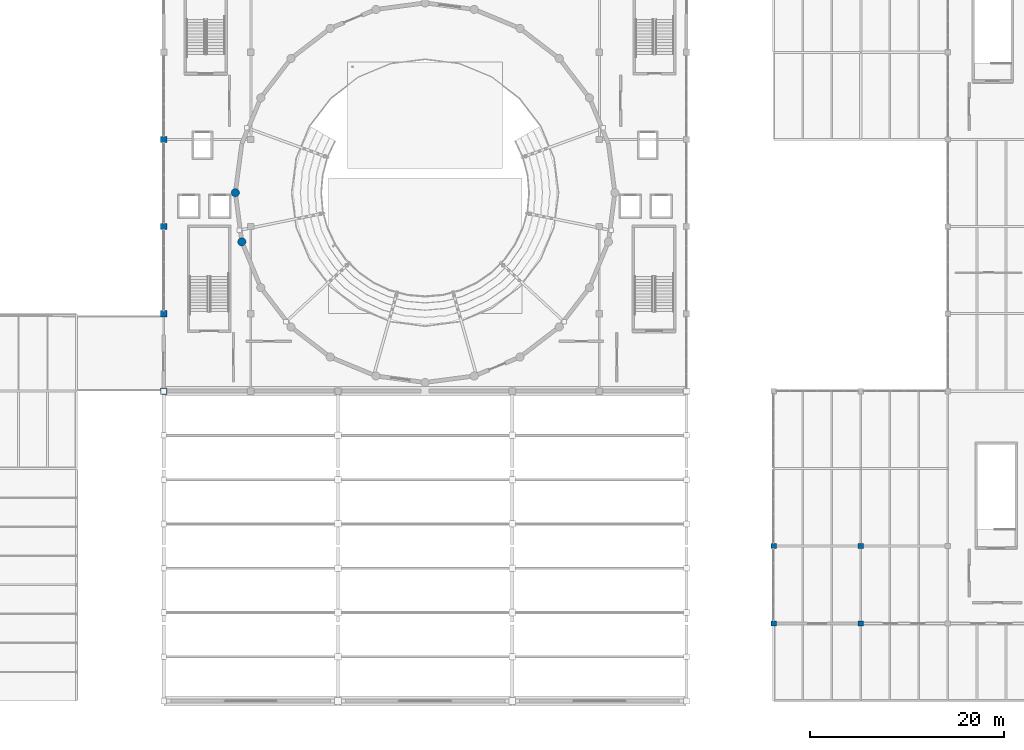
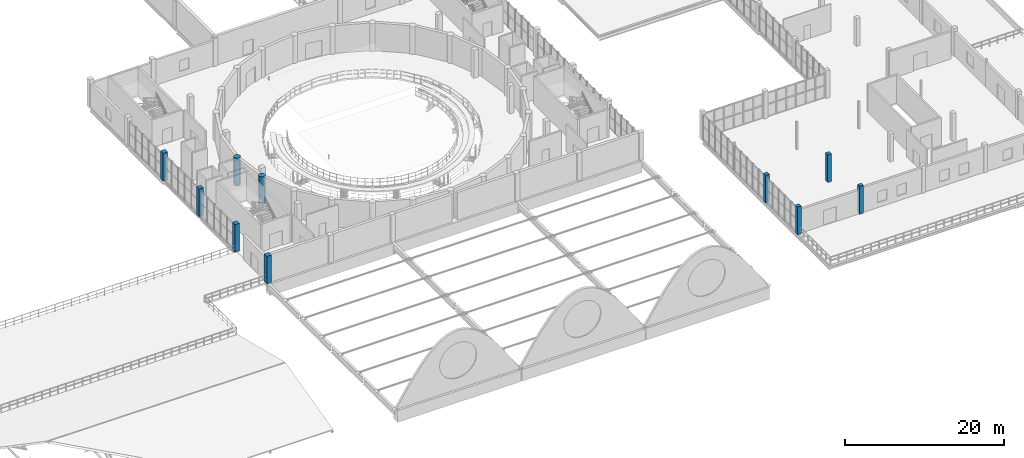
# One storey, part 1 of 54: 10 columns.
"""IFC4 building model written with IfcOpenShell, lengths in metres."""

from ifc_helpers import new_model, si_unit, direction, frame, origin, origin_2d, place, context, subcontext, project, spatial, rectangle, circle, extrude, material, material_profile, profile_set, type_object, element, save


model = new_model("IFC4")

# Units and contexts
model_context = context("Model", 3, precision=1e-05, world=origin(), true_north=direction((0.0, 1.0)))
body_context = subcontext(model_context, "Body", "Model", "MODEL_VIEW")
ifc_project = project(units=[si_unit("LENGTHUNIT", "METRE"), si_unit("AREAUNIT", "SQUARE_METRE"), si_unit("VOLUMEUNIT", "CUBIC_METRE"), si_unit("PLANEANGLEUNIT", "RADIAN"), si_unit("MASSUNIT", "GRAM", prefix="KILO")], contexts=[model_context])

# Site, building, storey
site_placement = place(None, origin())
site = spatial("IfcSite", under=ifc_project, at=site_placement, CompositionType="ELEMENT")
building_placement = place(site_placement, origin())
building = spatial("IfcBuilding", under=site, at=building_placement, Name="Marnock Terrace Opera House", CompositionType="ELEMENT")
storey_placement = place(building_placement, frame((0.0, 0.0, 19.199951171875)))
storey = spatial("IfcBuildingStorey", under=building, at=storey_placement, Name="L04", CompositionType="ELEMENT", Elevation=19.199951171875)

# Columns
ifc_material_1 = material(Name="Concrete N50 (f'c = 50 MPa)", Category="concrete")
ifc_material_profile_1 = material_profile(ifc_material_1, circle(Radius=0.425048828125, at=origin_2d()))
ifc_profile_set_1 = profile_set([ifc_material_profile_1], Name="Concrete N50 (f'c = 50 MPa)")
column_type_1 = type_object("IfcColumnType", Name="COL-DRUM-850", PredefinedType="COLUMN", material=ifc_profile_set_1)
for number, where, z_axis, x_axis, name in (
    (1, (62.39990234375, 60.5, 0.0), (0.0, 0.0, 1.0), (1.0, 0.0, 0.0), "L04 auditorium drum pier 13"),
    (2, (63.068115234375, 55.427001953125, 0.0), (0.0, 0.0, 1.0), (1.0, 0.0, 0.0), "L04 auditorium drum pier 14"),
):
    element("IfcColumn", number, at=place(storey_placement, frame(where, z_axis=z_axis, x_axis=x_axis)), inside=storey, type_object=column_type_1, Name=name, PredefinedType="COLUMN", context=body_context, shape_type="SweptSolid", body=[
        extrude(circle(Radius=0.425048828125, at=origin_2d()), origin(), (0.0, 0.0, 1.0), 4.25),
    ])
ifc_material_2 = material(Name="Concrete N40 (f'c = 40 MPa)", Category="concrete")
ifc_material_profile_2 = material_profile(ifc_material_2, rectangle(XDim=0.550048828125, YDim=0.550048828125, at=origin_2d()))
ifc_profile_set_2 = profile_set([ifc_material_profile_2], Name="Concrete N40 (f'c = 40 MPa)")
column_type_2 = type_object("IfcColumnType", Name="COL-RC550", PredefinedType="COLUMN", material=ifc_profile_set_2)
for number, where, z_axis, x_axis, name in (
    (3, (118.0, 16.0, 0.0), (0.0, 0.0, 1.0), (1.0, 0.0, 0.0), "L04 column at (118.0, 16.0)"),
    (4, (118.0, 24.0, 0.0), (0.0, 0.0, 1.0), (1.0, 0.0, 0.0), "L04 column at (118.0, 24.0)"),
    (5, (127.0, 16.0, 0.0), (0.0, 0.0, 1.0), (1.0, 0.0, 0.0), "L04 column at (127.0, 16.0)"),
    (6, (127.0, 24.0, 0.0), (0.0, 0.0, 1.0), (1.0, 0.0, 0.0), "L04 column at (127.0, 24.0)"),
):
    element("IfcColumn", number, at=place(storey_placement, frame(where, z_axis=z_axis, x_axis=x_axis)), inside=storey, type_object=column_type_2, Name=name, PredefinedType="COLUMN", context=body_context, shape_type="SweptSolid", body=[
        extrude(rectangle(XDim=0.550048828125, YDim=0.550048828125, at=origin_2d()), origin(), (0.0, 0.0, 1.0), 4.25),
    ])
ifc_material_profile_3 = material_profile(ifc_material_2, rectangle(XDim=0.64990234375, YDim=0.64990234375, at=origin_2d()))
ifc_profile_set_3 = profile_set([ifc_material_profile_3], Name="Concrete N40 (f'c = 40 MPa)")
column_type_3 = type_object("IfcColumnType", Name="COL-RC650", PredefinedType="COLUMN", material=ifc_profile_set_3)
for number, where, z_axis, x_axis, name in (
    (7, (55.0, 40.0, 0.0), (0.0, 0.0, 1.0), (1.0, 0.0, 0.0), "L04 column at (55.0, 40.0)"),
    (8, (55.0, 48.0, 0.0), (0.0, 0.0, 1.0), (1.0, 0.0, 0.0), "L04 column at (55.0, 48.0)"),
    (9, (55.0, 57.0, 0.0), (0.0, 0.0, 1.0), (1.0, 0.0, 0.0), "L04 column at (55.0, 57.0)"),
    (10, (55.0, 66.0, 0.0), (0.0, 0.0, 1.0), (1.0, 0.0, 0.0), "L04 column at (55.0, 66.0)"),
):
    element("IfcColumn", number, at=place(storey_placement, frame(where, z_axis=z_axis, x_axis=x_axis)), inside=storey, type_object=column_type_3, Name=name, PredefinedType="COLUMN", context=body_context, shape_type="SweptSolid", body=[
        extrude(rectangle(XDim=0.64990234375, YDim=0.64990234375, at=origin_2d()), origin(), (0.0, 0.0, 1.0), 4.25),
    ])

save(model, "model.ifc")
